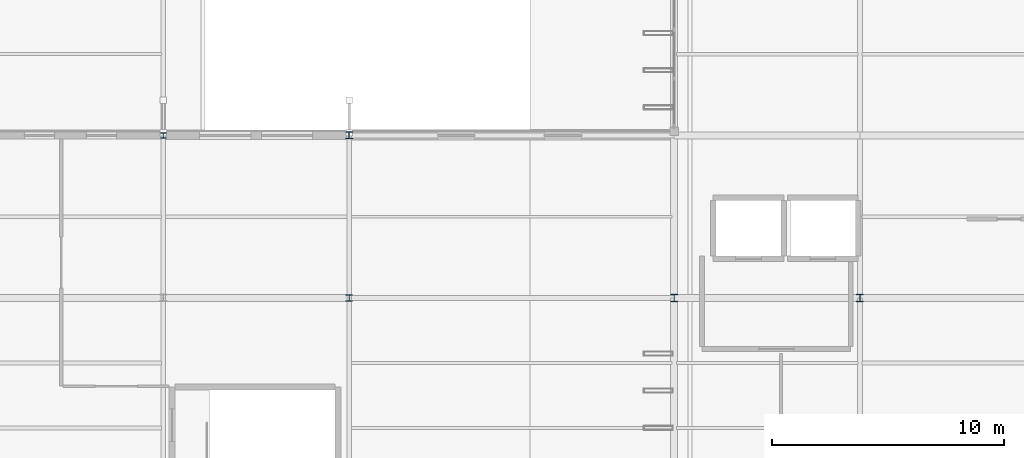
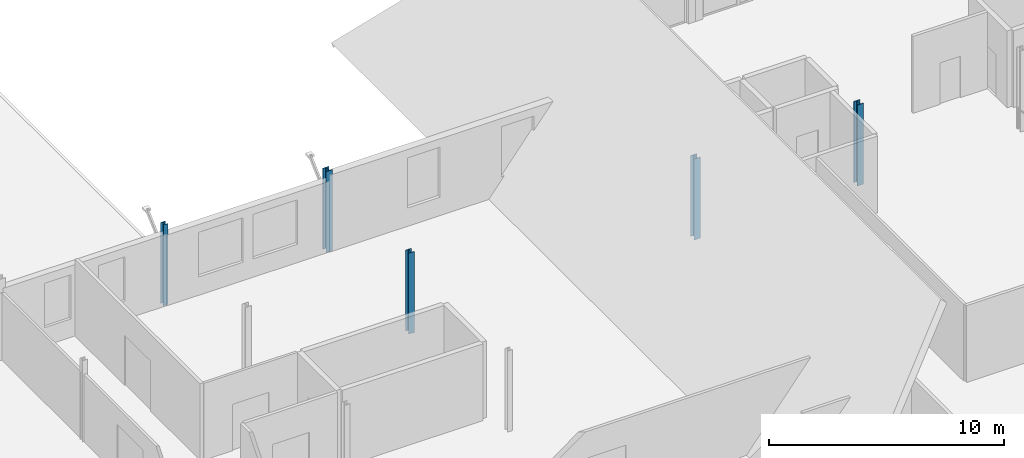
# One storey, part 5 of 93: 5 columns.
"""IFC4 building model written with IfcOpenShell, lengths in metres."""

from ifc_helpers import new_model, si_unit, direction, frame, origin, origin_2d, place, context, subcontext, project, spatial, i_section, extrude, material, material_profile, profile_set, type_object, element, save


model = new_model("IFC4")

# Units and contexts
model_context = context("Model", 3, precision=1e-05, world=origin(), true_north=direction((0.0, 1.0)))
body_context = subcontext(model_context, "Body", "Model", "MODEL_VIEW")
ifc_project = project(units=[si_unit("LENGTHUNIT", "METRE"), si_unit("AREAUNIT", "SQUARE_METRE"), si_unit("VOLUMEUNIT", "CUBIC_METRE"), si_unit("PLANEANGLEUNIT", "RADIAN"), si_unit("MASSUNIT", "GRAM", prefix="KILO")], contexts=[model_context])

# Site, building, storey
site_placement = place(None, origin())
site = spatial("IfcSite", under=ifc_project, at=site_placement, CompositionType="ELEMENT")
building_placement = place(site_placement, origin())
building = spatial("IfcBuilding", under=site, at=building_placement, Name="Vekula Escarpment Museum", CompositionType="ELEMENT")
storey_placement = place(building_placement, frame((0.0, 0.0, 22.199951171875)))
storey = spatial("IfcBuildingStorey", under=building, at=storey_placement, Name="L05", CompositionType="ELEMENT", Elevation=22.199951171875)

# Columns
ifc_material_1 = material(Name="Steel S355", Category="steel")
ifc_material_profile_1 = material_profile(ifc_material_1, i_section(OverallWidth=0.239990234375, OverallDepth=0.22998046875, WebThickness=0.007568359375, FlangeThickness=0.011962890625, FilletRadius=0.02099609375, at=origin_2d()), Name="HEA 240")
ifc_profile_set_1 = profile_set([ifc_material_profile_1], Name="Steel S355")
column_type_1 = type_object("IfcColumnType", Name="COL-S-HEA240", PredefinedType="COLUMN", material=ifc_profile_set_1)
column_1_placement = place(storey_placement, frame((48.0, 83.39990234375, 0.0), z_axis=(0.0, 0.0, 1.0), x_axis=(1.0, 0.0, 0.0)))
element("IfcColumn", 1, at=column_1_placement, inside=storey, type_object=column_type_1, Name="Column L05 (48.0,83.4)", PredefinedType="COLUMN", context=body_context, shape_type="SweptSolid", body=[
    extrude(i_section(OverallWidth=0.239990234375, OverallDepth=0.22998046875, WebThickness=0.007568359375, FlangeThickness=0.011962890625, FilletRadius=0.02099609375, at=origin_2d()), origin(), (0.0, 0.0, 1.0), 4.199951171875),
])
ifc_material_2 = material(Name="Steel S355", Category="steel")
ifc_material_profile_2 = material_profile(ifc_material_2, i_section(OverallWidth=0.280029296875, OverallDepth=0.27001953125, WebThickness=0.008056640625, FlangeThickness=0.012939453125, FilletRadius=0.02392578125, at=origin_2d()), Name="HEA 280")
ifc_profile_set_2 = profile_set([ifc_material_profile_2], Name="Steel S355")
column_type_2 = type_object("IfcColumnType", Name="COL-S-HEA280", PredefinedType="COLUMN", material=ifc_profile_set_2)
column_2_placement = place(storey_placement, frame((56.0, 76.39990234375, 0.0), z_axis=(0.0, 0.0, 1.0), x_axis=(1.0, 0.0, 0.0)))
element("IfcColumn", 2, at=column_2_placement, inside=storey, type_object=column_type_2, Name="Column L05 (56.0,76.4)", PredefinedType="COLUMN", context=body_context, shape_type="SweptSolid", body=[
    extrude(i_section(OverallWidth=0.280029296875, OverallDepth=0.27001953125, WebThickness=0.008056640625, FlangeThickness=0.012939453125, FilletRadius=0.02392578125, at=origin_2d()), origin(), (0.0, 0.0, 1.0), 4.199951171875),
])
ifc_material_3 = material(Name="Steel S355", Category="steel")
ifc_material_profile_3 = material_profile(ifc_material_3, i_section(OverallWidth=0.300048828125, OverallDepth=0.300048828125, WebThickness=0.010986328125, FlangeThickness=0.01904296875, FilletRadius=0.027099609375, at=origin_2d()), Name="HEB 300")
ifc_profile_set_3 = profile_set([ifc_material_profile_3], Name="Steel S355")
column_type_3 = type_object("IfcColumnType", Name="COL-S-HEB300", PredefinedType="COLUMN", material=ifc_profile_set_3)
column_3_placement = place(storey_placement, frame((56.0, 83.39990234375, 0.0), z_axis=(0.0, 0.0, 1.0), x_axis=(1.0, 0.0, 0.0)))
element("IfcColumn", 3, at=column_3_placement, inside=storey, type_object=column_type_3, Name="Column L05 (56.0,83.4)", PredefinedType="COLUMN", context=body_context, shape_type="SweptSolid", body=[
    extrude(i_section(OverallWidth=0.300048828125, OverallDepth=0.300048828125, WebThickness=0.010986328125, FlangeThickness=0.01904296875, FilletRadius=0.027099609375, at=origin_2d()), origin(), (0.0, 0.0, 1.0), 4.199951171875),
])
ifc_material_4 = material(Name="Steel S355", Category="steel")
ifc_material_profile_4 = material_profile(ifc_material_4, i_section(OverallWidth=0.300048828125, OverallDepth=0.320068359375, WebThickness=0.011474609375, FlangeThickness=0.0205078125, FilletRadius=0.027099609375, at=origin_2d()), Name="HEB 320")
ifc_profile_set_4 = profile_set([ifc_material_profile_4], Name="Steel S355")
column_type_4 = type_object("IfcColumnType", Name="COL-S-HEB320", PredefinedType="COLUMN", material=ifc_profile_set_4)
for number, where, z_axis, x_axis, name in (
    (4, (70.0, 76.39990234375, 0.0), (0.0, 0.0, 1.0), (1.0, 0.0, 0.0), "Column L05 (70.0,76.4)"),
    (5, (78.0, 76.39990234375, 0.0), (0.0, 0.0, 1.0), (1.0, 0.0, 0.0), "Column L05 (78.0,76.4)"),
):
    element("IfcColumn", number, at=place(storey_placement, frame(where, z_axis=z_axis, x_axis=x_axis)), inside=storey, type_object=column_type_4, Name=name, PredefinedType="COLUMN", context=body_context, shape_type="SweptSolid", body=[
        extrude(i_section(OverallWidth=0.300048828125, OverallDepth=0.320068359375, WebThickness=0.011474609375, FlangeThickness=0.0205078125, FilletRadius=0.027099609375, at=origin_2d()), origin(), (0.0, 0.0, 1.0), 4.199951171875),
    ])

save(model, "model.ifc")
